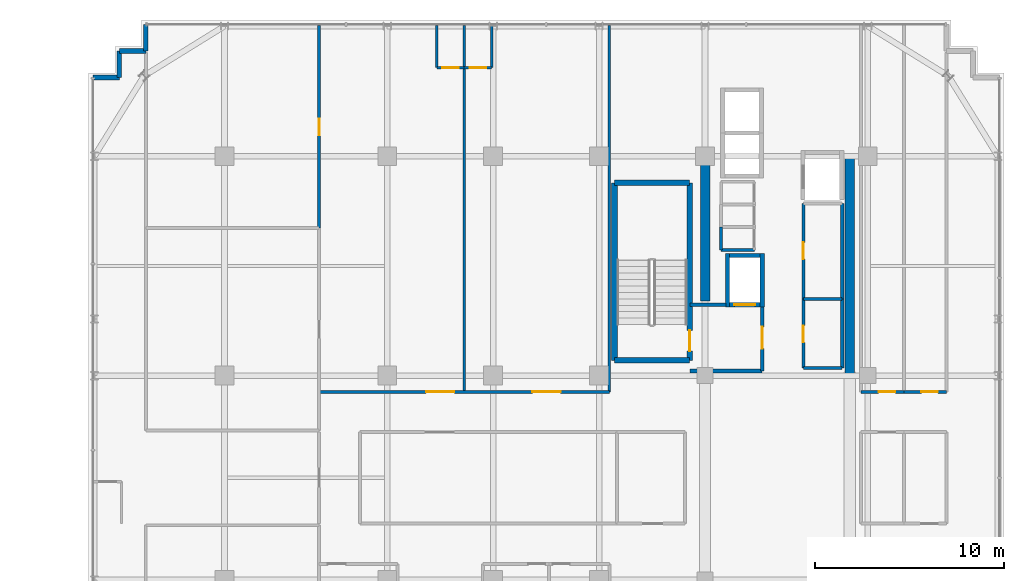
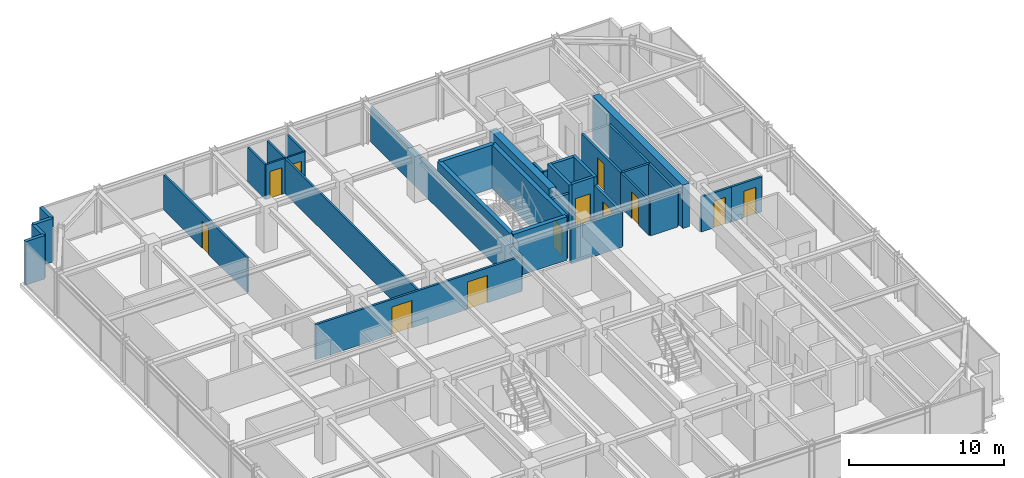
# One storey, part 31 of 35: 35 walls, 12 doors, 12 openings.
"""IFC4 building model written with IfcOpenShell, lengths in metres."""

from ifc_helpers import new_model, si_unit, direction, frame, frame_2d, origin, place, context, subcontext, project, spatial, rectangle, extrude, source, transform, mapped, material, layer, layer_set, type_object, element, fill, save


model = new_model("IFC4")

# Units and contexts
model_context = context("Model", 3, precision=1e-05, world=origin(), true_north=direction((0.0, 1.0)))
body_context = subcontext(model_context, "Body", "Model", "MODEL_VIEW")
ifc_project = project(units=[si_unit("LENGTHUNIT", "METRE"), si_unit("AREAUNIT", "SQUARE_METRE"), si_unit("VOLUMEUNIT", "CUBIC_METRE"), si_unit("PLANEANGLEUNIT", "RADIAN"), si_unit("MASSUNIT", "GRAM", prefix="KILO")], contexts=[model_context])

# Site, building, storey
site_placement = place(None, origin())
site = spatial("IfcSite", under=ifc_project, at=site_placement, CompositionType="ELEMENT")
building_placement = place(site_placement, origin())
building = spatial("IfcBuilding", under=site, at=building_placement, Name="Nahalor Promenade Grand Hotel", CompositionType="ELEMENT")
storey_placement = place(building_placement, frame((0.0, 0.0, 245.60009765625)))
storey = spatial("IfcBuildingStorey", under=building, at=storey_placement, Name="L63", CompositionType="ELEMENT", Elevation=245.60009765625)

# Walls
ifc_material_1 = material(Name="Concrete B-60 (C50/60)", Category="concrete")
ifc_layer_1 = layer(ifc_material_1, 0.5)
ifc_layer_set_1 = layer_set([ifc_layer_1], Name="Concrete B-60 (C50/60)")
wall_type_1 = type_object("IfcWallType", Name="Wall-CoreShear-500", PredefinedType="SHEAR", material=ifc_layer_set_1)
shared_shape_1 = source(origin(), body_context, "Body", "SweptSolid", [
    extrude(rectangle(XDim=7.64990234375, YDim=0.5, at=frame_2d((3.824951171875, 0.0))), origin(), (0.0, 0.0, 1.0), 3.409912109375),
])
wall_1_placement = place(storey_placement, frame((8.39990234375, 9.35009765625, 0.0), z_axis=(0.0, 0.0, 1.0), x_axis=(0.0, 1.0, 0.0)))
element("IfcWall", 1, at=wall_1_placement, inside=storey, type_object=wall_type_1, Name="CWALL-L63-NW", PredefinedType="SHEAR", context=body_context, shape_type="MappedRepresentation", body=[
    mapped(shared_shape_1, transform((0.0, 0.0, 0.0), scale=1.0)),
])
shared_shape_2 = source(origin(), body_context, "Body", "SweptSolid", [
    extrude(rectangle(XDim=11.60009765625, YDim=0.5, at=frame_2d((5.800048828125, 0.0))), origin(), (0.0, 0.0, 1.0), 3.409912109375),
])
wall_2_placement = place(storey_placement, frame((16.050048828125, 5.39990234375, 0.0), z_axis=(0.0, 0.0, 1.0), x_axis=(0.0, 1.0, 0.0)))
element("IfcWall", 2, at=wall_2_placement, inside=storey, type_object=wall_type_1, Name="CWALL-L63-NE", PredefinedType="SHEAR", context=body_context, shape_type="MappedRepresentation", body=[
    mapped(shared_shape_2, transform((0.0, 0.0, 0.0), scale=1.0)),
])
ifc_material_2 = material(Name="Concrete B-50 (C40/50)", Category="concrete")
ifc_layer_2 = layer(ifc_material_2, 0.300048828125)
ifc_layer_set_2 = layer_set([ifc_layer_2], Name="Concrete B-50 (C40/50)")
wall_type_2 = type_object("IfcWallType", Name="Wall-ShaftShear-300", PredefinedType="SHEAR", material=ifc_layer_set_2)
shared_shape_3 = source(origin(), body_context, "Body", "SweptSolid", [
    extrude(rectangle(XDim=3.97998046875, YDim=0.300048828125, at=frame_2d((1.989990234375, 0.0))), origin(), (0.0, 0.0, 1.0), 3.409912109375),
])
for number, where, z_axis, x_axis, name in (
    (3, (3.610107421875, 6.2099609375, 0.0), (0.0, 0.0, 1.0), (1.0, 0.0, 0.0), "L63 Exit Stair ST1 Shaft Wall S"),
    (4, (3.610107421875, 15.590087890625, 0.0), (0.0, 0.0, 1.0), (1.0, 0.0, 0.0), "L63 Exit Stair ST1 Shaft Wall N"),
):
    element("IfcWall", number, at=place(storey_placement, frame(where, z_axis=z_axis, x_axis=x_axis)), inside=storey, type_object=wall_type_2, Name=name, PredefinedType="SHEAR", context=body_context, shape_type="MappedRepresentation", body=[
        mapped(shared_shape_3, transform((0.0, 0.0, 0.0), scale=1.0)),
    ])
shared_shape_4 = source(origin(), body_context, "Body", "SweptSolid", [
    extrude(rectangle(XDim=9.380126953125, YDim=0.300048828125, at=frame_2d((4.68994140625, 0.0))), origin(), (0.0, 0.0, 1.0), 3.409912109375),
])
wall_3_placement = place(storey_placement, frame((3.610107421875, 6.2099609375, 0.0), z_axis=(0.0, 0.0, 1.0), x_axis=(0.0, 1.0, 0.0)))
element("IfcWall", 5, at=wall_3_placement, inside=storey, type_object=wall_type_2, Name="L63 Exit Stair ST1 Shaft Wall W", PredefinedType="SHEAR", context=body_context, shape_type="MappedRepresentation", body=[
    mapped(shared_shape_4, transform((0.0, 0.0, 0.0), scale=1.0)),
])

# Wall, opening, door
wall_4_placement = place(storey_placement, frame((7.590087890625, 6.2099609375, 0.0), z_axis=(0.0, 0.0, 1.0), x_axis=(0.0, 1.0, 0.0)))
wall_4 = element("IfcWall", 6, at=wall_4_placement, inside=storey, type_object=wall_type_2, Name="L63 Exit Stair ST1 Shaft Wall E", PredefinedType="SHEAR", context=body_context, shape_type="MappedRepresentation", body=[
    mapped(shared_shape_4, transform((0.0, 0.0, 0.0), scale=1.0)),
])
opening_1_placement = place(wall_4_placement, frame((0.489990234375, 0.0, 0.0)))
opening_1 = element("IfcOpeningElement", 7, at=opening_1_placement, cuts=wall_4, Name="Opening D-ST1", PredefinedType="OPENING", context=body_context, shape_type="SweptSolid", body=[
    extrude(rectangle(XDim=1.10009765625, YDim=2.14990234375, at=frame_2d((0.550048828125, 1.074951171875))), frame((0.0, 0.159912109375, 0.0), z_axis=(0.0, -1.0, 0.0), x_axis=(1.0, 0.0, 0.0)), (0.0, 0.0, 1.0), 0.320068359375),
])
ifc_material_3 = material(Name="Steel S355JR", Category="steel")
door_type_1 = type_object("IfcDoorType", Name="Door-StairFire-1100", OperationType="NOTDEFINED", PredefinedType="DOOR", material=ifc_material_3)
shared_shape_5 = source(origin(), body_context, "Body", "SweptSolid", [
    extrude(rectangle(XDim=1.10009765625, YDim=2.14990234375, at=frame_2d((0.550048828125, 1.074951171875))), frame((0.0, 0.02490234375, 0.0), z_axis=(0.0, -1.0, 0.0), x_axis=(1.0, 0.0, 0.0)), (0.0, 0.0, 1.0), 0.050048828125),
])
door_1_placement = place(opening_1_placement, origin())
door_1 = element("IfcDoor", 8, at=door_1_placement, inside=storey, type_object=door_type_1, Name="DR-STAIR-ST1-L63", OperationType="SINGLE_SWING_RIGHT", OverallHeight=2.14990234375, OverallWidth=1.10009765625, PredefinedType="DOOR", context=body_context, shape_type="MappedRepresentation", body=[
    mapped(shared_shape_5, transform((0.0, 0.0, 0.0), scale=1.0)),
])
fill(opening_1, door_1)

# Walls
ifc_layer_3 = layer(ifc_material_2, 0.219970703125)
ifc_layer_set_3 = layer_set([ifc_layer_3], Name="Concrete B-50 (C40/50)")
wall_type_3 = type_object("IfcWallType", Name="Wall-LiftShaft-220", PredefinedType="SHEAR", material=ifc_layer_set_3)
shared_shape_6 = source(origin(), body_context, "Body", "SweptSolid", [
    extrude(rectangle(XDim=2.820068359375, YDim=0.219970703125, at=frame_2d((1.41015625, 0.0))), origin(), (0.0, 0.0, 1.0), 3.409912109375),
])
for number, where, z_axis, x_axis, name in (
    (9, (9.580078125, 9.0400390625, 0.0), (0.0, 0.0, 1.0), (0.0, 1.0, 0.0), "L63 Lift FL1 Hoistway Wall W"),
    (10, (11.419921875, 9.0400390625, 0.0), (0.0, 0.0, 1.0), (0.0, 1.0, 0.0), "L63 Lift FL1 Hoistway Wall E"),
):
    element("IfcWall", number, at=place(storey_placement, frame(where, z_axis=z_axis, x_axis=x_axis)), inside=storey, type_object=wall_type_3, Name=name, PredefinedType="SHEAR", context=body_context, shape_type="MappedRepresentation", body=[
        mapped(shared_shape_6, transform((0.0, 0.0, 0.0), scale=1.0)),
    ])

# Wall, opening, door
shared_shape_7 = source(origin(), body_context, "Body", "SweptSolid", [
    extrude(rectangle(XDim=1.6201171875, YDim=0.219970703125, at=frame_2d((0.81005859375, 0.0))), origin(), (0.0, 0.0, 1.0), 3.409912109375),
])
wall_5_placement = place(storey_placement, frame((9.68994140625, 9.14990234375, 0.0), z_axis=(0.0, 0.0, 1.0), x_axis=(1.0, 0.0, 0.0)))
wall_5 = element("IfcWall", 11, at=wall_5_placement, inside=storey, type_object=wall_type_3, Name="L63 Lift FL1 Hoistway Wall S", PredefinedType="SHEAR", context=body_context, shape_type="MappedRepresentation", body=[
    mapped(shared_shape_7, transform((0.0, 0.0, 0.0), scale=1.0)),
])
opening_2_placement = place(wall_5_placement, frame((0.260009765625, 0.0, 0.0)))
opening_2 = element("IfcOpeningElement", 12, at=opening_2_placement, cuts=wall_5, Name="Opening LD-02", PredefinedType="OPENING", context=body_context, shape_type="SweptSolid", body=[
    extrude(rectangle(XDim=1.10009765625, YDim=2.199951171875, at=frame_2d((0.550048828125, 1.10009765625))), frame((0.0, 0.119873046875, 0.0), z_axis=(0.0, -1.0, 0.0), x_axis=(1.0, 0.0, 0.0)), (0.0, 0.0, 1.0), 0.239990234375),
])
door_type_2 = type_object("IfcDoorType", Name="Door-LiftFF-1100", OperationType="DOUBLE_DOOR_SLIDING", PredefinedType="DOOR", material=ifc_material_3)
shared_shape_8 = source(origin(), body_context, "Body", "SweptSolid", [
    extrude(rectangle(XDim=1.10009765625, YDim=2.199951171875, at=frame_2d((0.550048828125, 1.10009765625))), frame((0.0, 0.02490234375, 0.0), z_axis=(0.0, -1.0, 0.0), x_axis=(1.0, 0.0, 0.0)), (0.0, 0.0, 1.0), 0.050048828125),
])
door_2_placement = place(opening_2_placement, frame((1.10009765625, 0.0, 0.0), z_axis=(0.0, 0.0, 1.0), x_axis=(-1.0, 0.0, 0.0)))
door_2 = element("IfcDoor", 13, at=door_2_placement, inside=storey, type_object=door_type_2, Name="DR-LIFT-FL1-L63", OperationType="DOUBLE_DOOR_SLIDING", OverallHeight=2.199951171875, OverallWidth=1.10009765625, PredefinedType="DOOR", context=body_context, shape_type="MappedRepresentation", body=[
    mapped(shared_shape_8, transform((0.0, 0.0, 0.0), scale=1.0)),
])
fill(opening_2, door_2)

# Walls
wall_6_placement = place(storey_placement, frame((9.68994140625, 11.75, 0.0), z_axis=(0.0, 0.0, 1.0), x_axis=(1.0, 0.0, 0.0)))
element("IfcWall", 14, at=wall_6_placement, inside=storey, type_object=wall_type_3, Name="L63 Lift FL1 Hoistway Wall N", PredefinedType="SHEAR", context=body_context, shape_type="MappedRepresentation", body=[
    mapped(shared_shape_7, transform((0.0, 0.0, 0.0), scale=1.0)),
])
ifc_material_4 = material(Name="Concrete B-40 (C32/40)", Category="concrete")
ifc_layer_4 = layer(ifc_material_4, 0.25)
ifc_layer_set_4 = layer_set([ifc_layer_4], Name="Concrete B-40 (C32/40)")
wall_type_4 = type_object("IfcWallType", Name="Wall-BronzePier-250", PredefinedType="STANDARD", material=ifc_layer_set_4)
shared_shape_9 = source(origin(), body_context, "Body", "SweptSolid", [
    extrude(rectangle(XDim=1.39990234375, YDim=0.25, at=frame_2d((0.699951171875, 0.0))), origin(), (0.0, 0.0, 1.0), 3.409912109375),
])
for number, where, z_axis, x_axis, name in (
    (15, (-21.159912109375, 22.56005859375, 0.0), (0.0, 0.0, 1.0), (0.0, 1.0, 0.0), "W-L63-SR-09"),
    (16, (-23.9599609375, 21.159912109375, 0.0), (0.0, 0.0, 1.0), (1.0, 0.0, 0.0), "W-L63-SR-12"),
):
    element("IfcWall", number, at=place(storey_placement, frame(where, z_axis=z_axis, x_axis=x_axis)), inside=storey, type_object=wall_type_4, Name=name, PredefinedType="STANDARD", context=body_context, shape_type="MappedRepresentation", body=[
        mapped(shared_shape_9, transform((0.0, 0.0, 0.0), scale=1.0)),
    ])
shared_shape_10 = source(origin(), body_context, "Body", "SweptSolid", [
    extrude(rectangle(XDim=1.400146484375, YDim=0.25, at=frame_2d((0.7001953125, 0.0))), origin(), (0.0, 0.0, 1.0), 3.409912109375),
])
for number, where, z_axis, x_axis, name in (
    (17, (-22.56005859375, 22.56005859375, 0.0), (0.0, 0.0, 1.0), (1.0, 0.0, 0.0), "W-L63-SR-10"),
    (18, (-22.56005859375, 21.159912109375, 0.0), (0.0, 0.0, 1.0), (0.0, 1.0, 0.0), "W-L63-SR-11"),
):
    element("IfcWall", number, at=place(storey_placement, frame(where, z_axis=z_axis, x_axis=x_axis)), inside=storey, type_object=wall_type_4, Name=name, PredefinedType="STANDARD", context=body_context, shape_type="MappedRepresentation", body=[
        mapped(shared_shape_10, transform((0.0, 0.0, 0.0), scale=1.0)),
    ])
ifc_layer_5 = layer(ifc_material_4, 0.199951171875)
ifc_layer_set_5 = layer_set([ifc_layer_5], Name="Concrete B-40 (C32/40)")
wall_type_5 = type_object("IfcWallType", Name="Wall-PartFire-200", PredefinedType="PARTITIONING", material=ifc_layer_set_5)
shared_shape_11 = source(origin(), body_context, "Body", "SweptSolid", [
    extrude(rectangle(XDim=3.81982421875, YDim=0.199951171875, at=frame_2d((1.909912109375, 0.0))), origin(), (0.0, 0.0, 1.0), 2.75),
])
wall_7_placement = place(storey_placement, frame((7.60009765625, 5.64990234375, 0.0), z_axis=(0.0, 0.0, 1.0), x_axis=(1.0, 0.0, 0.0)))
element("IfcWall", 19, at=wall_7_placement, inside=storey, type_object=wall_type_5, Name="W-L63-FF1-S", PredefinedType="PARTITIONING", context=body_context, shape_type="MappedRepresentation", body=[
    mapped(shared_shape_11, transform((0.0, 0.0, 0.0), scale=1.0)),
])
shared_shape_12 = source(origin(), body_context, "Body", "SweptSolid", [
    extrude(rectangle(XDim=1.89990234375, YDim=0.199951171875, at=frame_2d((0.949951171875, 0.0))), origin(), (0.0, 0.0, 1.0), 2.75),
])
wall_8_placement = place(storey_placement, frame((7.60009765625, 9.14990234375, 0.0), z_axis=(0.0, 0.0, 1.0), x_axis=(1.0, 0.0, 0.0)))
element("IfcWall", 20, at=wall_8_placement, inside=storey, type_object=wall_type_5, Name="W-L63-FF1-N", PredefinedType="PARTITIONING", context=body_context, shape_type="MappedRepresentation", body=[
    mapped(shared_shape_12, transform((0.0, 0.0, 0.0), scale=1.0)),
])

# Wall, opening, door
shared_shape_13 = source(origin(), body_context, "Body", "SweptSolid", [
    extrude(rectangle(XDim=3.5, YDim=0.199951171875, at=frame_2d((1.75, 0.0))), origin(), (0.0, 0.0, 1.0), 2.75),
])
wall_9_placement = place(storey_placement, frame((11.419921875, 5.64990234375, 0.0), z_axis=(0.0, 0.0, 1.0), x_axis=(0.0, 1.0, 0.0)))
wall_9 = element("IfcWall", 21, at=wall_9_placement, inside=storey, type_object=wall_type_5, Name="W-L63-FF1-E", PredefinedType="PARTITIONING", context=body_context, shape_type="MappedRepresentation", body=[
    mapped(shared_shape_13, transform((0.0, 0.0, 0.0), scale=1.0)),
])
opening_3_placement = place(wall_9_placement, frame((1.175048828125, 0.0, 0.0)))
opening_3 = element("IfcOpeningElement", 22, at=opening_3_placement, cuts=wall_9, Name="Opening D-FF1", PredefinedType="OPENING", context=body_context, shape_type="SweptSolid", body=[
    extrude(rectangle(XDim=1.14990234375, YDim=2.14990234375, at=frame_2d((0.574951171875, 1.074951171875))), frame((0.0, 0.10986328125, 0.0), z_axis=(0.0, -1.0, 0.0), x_axis=(1.0, 0.0, 0.0)), (0.0, 0.0, 1.0), 0.219970703125),
])
door_type_3 = type_object("IfcDoorType", Name="Door-FFLobby-1150", OperationType="NOTDEFINED", PredefinedType="DOOR", material=ifc_material_3)
shared_shape_14 = source(origin(), body_context, "Body", "SweptSolid", [
    extrude(rectangle(XDim=1.14990234375, YDim=2.14990234375, at=frame_2d((0.574951171875, 1.074951171875))), frame((0.0, 0.02490234375, 0.0), z_axis=(0.0, -1.0, 0.0), x_axis=(1.0, 0.0, 0.0)), (0.0, 0.0, 1.0), 0.050048828125),
])
door_3_placement = place(opening_3_placement, frame((1.14990234375, 0.0, 0.0), z_axis=(0.0, 0.0, 1.0), x_axis=(-1.0, 0.0, 0.0)))
door_3 = element("IfcDoor", 23, at=door_3_placement, inside=storey, type_object=door_type_3, Name="DR-L63-FFL1", OperationType="SINGLE_SWING_LEFT", OverallHeight=2.14990234375, OverallWidth=1.14990234375, PredefinedType="DOOR", context=body_context, shape_type="MappedRepresentation", body=[
    mapped(shared_shape_14, transform((0.0, 0.0, 0.0), scale=1.0)),
])
fill(opening_3, door_3)

# Walls
ifc_material_5 = material(Name="Acoustic Mineral Gypsum", Category="gypsum")
ifc_layer_6 = layer(ifc_material_5, 0.14990234375)
ifc_layer_set_6 = layer_set([ifc_layer_6], Name="Acoustic Mineral Gypsum")
wall_type_6 = type_object("IfcWallType", Name="Wall-PartService-150", PredefinedType="PARTITIONING", material=ifc_layer_set_6)
shared_shape_15 = source(origin(), body_context, "Body", "SweptSolid", [
    extrude(rectangle(XDim=1.75, YDim=0.14990234375, at=frame_2d((0.875, 0.0))), origin(), (0.0, 0.0, 1.0), 2.75),
])
wall_10_placement = place(storey_placement, frame((9.25, 12.050048828125, 0.0), z_axis=(0.0, 0.0, 1.0), x_axis=(1.0, 0.0, 0.0)))
element("IfcWall", 24, at=wall_10_placement, inside=storey, type_object=wall_type_6, Name="W-L63-CK3A-S", PredefinedType="PARTITIONING", context=body_context, shape_type="MappedRepresentation", body=[
    mapped(shared_shape_15, transform((0.0, 0.0, 0.0), scale=1.0)),
])
ifc_layer_7 = layer(ifc_material_5, 0.159912109375)
ifc_layer_set_7 = layer_set([ifc_layer_7], Name="Acoustic Mineral Gypsum")
wall_type_7 = type_object("IfcWallType", Name="Wall-PartCorridor-160", PredefinedType="PARTITIONING", material=ifc_layer_set_7)
shared_shape_16 = source(origin(), body_context, "Body", "SweptSolid", [
    extrude(rectangle(XDim=2.0498046875, YDim=0.159912109375, at=frame_2d((1.02490234375, 0.0))), origin(), (0.0, 0.0, 1.0), 2.75),
])
for number, where, z_axis, x_axis, name in (
    (25, (13.60009765625, 5.800048828125, 0.0), (0.0, 0.0, 1.0), (1.0, 0.0, 0.0), "W-L63-FRB1A-S"),
    (26, (13.60009765625, 9.449951171875, 0.0), (0.0, 0.0, 1.0), (1.0, 0.0, 0.0), "W-L63-FRB1A-N"),
):
    element("IfcWall", number, at=place(storey_placement, frame(where, z_axis=z_axis, x_axis=x_axis)), inside=storey, type_object=wall_type_7, Name=name, PredefinedType="PARTITIONING", context=body_context, shape_type="MappedRepresentation", body=[
        mapped(shared_shape_16, transform((0.0, 0.0, 0.0), scale=1.0)),
    ])

# Wall, opening, door
shared_shape_17 = source(origin(), body_context, "Body", "SweptSolid", [
    extrude(rectangle(XDim=2.255126953125, YDim=0.159912109375, at=frame_2d((1.12744140625, 0.0))), origin(), (0.0, 0.0, 1.0), 2.75),
])
wall_11_placement = place(storey_placement, frame((16.64990234375, 4.550048828125, 0.0), z_axis=(0.0, 0.0, 1.0), x_axis=(1.0, 0.0, 0.0)))
wall_11 = element("IfcWall", 27, at=wall_11_placement, inside=storey, type_object=wall_type_7, Name="W-L63-ENE1-S", PredefinedType="PARTITIONING", context=body_context, shape_type="MappedRepresentation", body=[
    mapped(shared_shape_17, transform((0.0, 0.0, 0.0), scale=1.0)),
])
opening_4_placement = place(wall_11_placement, frame((0.924072265625, 0.0, 0.0)))
opening_4 = element("IfcOpeningElement", 28, at=opening_4_placement, cuts=wall_11, Name="Opening D-03", PredefinedType="OPENING", context=body_context, shape_type="SweptSolid", body=[
    extrude(rectangle(XDim=0.8798828125, YDim=2.10009765625, at=frame_2d((0.43994140625, 1.050048828125))), frame((0.0, 0.08984375, 0.0), z_axis=(0.0, -1.0, 0.0), x_axis=(1.0, 0.0, 0.0)), (0.0, 0.0, 1.0), 0.179931640625),
])
ifc_material_6 = material(Name="Fire-Rated Timber Composite", Category="wood")
door_type_4 = type_object("IfcDoorType", Name="Door-BathSwing-880", OperationType="NOTDEFINED", PredefinedType="DOOR", material=ifc_material_6)
shared_shape_18 = source(origin(), body_context, "Body", "SweptSolid", [
    extrude(rectangle(XDim=0.8798828125, YDim=2.10009765625, at=frame_2d((0.43994140625, 1.050048828125))), frame((0.0, 0.02490234375, 0.0), z_axis=(0.0, -1.0, 0.0), x_axis=(1.0, 0.0, 0.0)), (0.0, 0.0, 1.0), 0.050048828125),
])
door_4_placement = place(opening_4_placement, origin())
door_4 = element("IfcDoor", 29, at=door_4_placement, inside=storey, type_object=door_type_4, Name="DR-L63-ENE1", OperationType="SINGLE_SWING_RIGHT", OverallHeight=2.10009765625, OverallWidth=0.8798828125, PredefinedType="DOOR", context=body_context, shape_type="MappedRepresentation", body=[
    mapped(shared_shape_18, transform((0.0, 0.0, 0.0), scale=1.0)),
])
fill(opening_4, door_4)

shared_shape_19 = source(origin(), body_context, "Body", "SweptSolid", [
    extrude(rectangle(XDim=2.2548828125, YDim=0.159912109375, at=frame_2d((1.12744140625, 0.0))), origin(), (0.0, 0.0, 1.0), 2.75),
])
wall_12_placement = place(storey_placement, frame((18.905029296875, 4.550048828125, 0.0), z_axis=(0.0, 0.0, 1.0), x_axis=(1.0, 0.0, 0.0)))
wall_12 = element("IfcWall", 30, at=wall_12_placement, inside=storey, type_object=wall_type_7, Name="W-L63-ENE2-S", PredefinedType="PARTITIONING", context=body_context, shape_type="MappedRepresentation", body=[
    mapped(shared_shape_19, transform((0.0, 0.0, 0.0), scale=1.0)),
])
opening_5_placement = place(wall_12_placement, frame((0.924072265625, 0.0, 0.0)))
opening_5 = element("IfcOpeningElement", 31, at=opening_5_placement, cuts=wall_12, Name="Opening D-03", PredefinedType="OPENING", context=body_context, shape_type="SweptSolid", body=[
    extrude(rectangle(XDim=0.8798828125, YDim=2.10009765625, at=frame_2d((0.43994140625, 1.050048828125))), frame((0.0, 0.08984375, 0.0), z_axis=(0.0, -1.0, 0.0), x_axis=(1.0, 0.0, 0.0)), (0.0, 0.0, 1.0), 0.179931640625),
])
door_5_placement = place(opening_5_placement, origin())
door_5 = element("IfcDoor", 32, at=door_5_placement, inside=storey, type_object=door_type_4, Name="DR-L63-ENE2", OperationType="SINGLE_SWING_LEFT", OverallHeight=2.10009765625, OverallWidth=0.8798828125, PredefinedType="DOOR", context=body_context, shape_type="MappedRepresentation", body=[
    mapped(shared_shape_18, transform((0.0, 0.0, 0.0), scale=1.0)),
])
fill(opening_5, door_5)

ifc_layer_8 = layer(ifc_material_5, 0.1201171875)
ifc_layer_set_8 = layer_set([ifc_layer_8], Name="Acoustic Mineral Gypsum")
wall_type_8 = type_object("IfcWallType", Name="Wall-PartBath-120", PredefinedType="PARTITIONING", material=ifc_layer_set_8)
shared_shape_20 = source(origin(), body_context, "Body", "SweptSolid", [
    extrude(rectangle(XDim=1.449951171875, YDim=0.1201171875, at=frame_2d((0.72509765625, 0.0))), origin(), (0.0, 0.0, 1.0), 2.75),
])
wall_13_placement = place(storey_placement, frame((-5.780029296875, 21.679931640625, 0.0), z_axis=(0.0, 0.0, 1.0), x_axis=(1.0, 0.0, 0.0)))
wall_13 = element("IfcWall", 33, at=wall_13_placement, inside=storey, type_object=wall_type_8, Name="W-L63-N1-BH", PredefinedType="PARTITIONING", context=body_context, shape_type="MappedRepresentation", body=[
    mapped(shared_shape_20, transform((0.0, 0.0, 0.0), scale=1.0)),
])
opening_6_placement = place(wall_13_placement, frame((0.284912109375, 0.0, 0.0)))
opening_6 = element("IfcOpeningElement", 34, at=opening_6_placement, cuts=wall_13, Name="Opening D-03", PredefinedType="OPENING", context=body_context, shape_type="SweptSolid", body=[
    extrude(rectangle(XDim=0.8798828125, YDim=2.10009765625, at=frame_2d((0.43994140625, 1.050048828125))), frame((0.0, 0.070068359375, 0.0), z_axis=(0.0, -1.0, 0.0), x_axis=(1.0, 0.0, 0.0)), (0.0, 0.0, 1.0), 0.14013671875),
])
door_6_placement = place(opening_6_placement, origin())
door_6 = element("IfcDoor", 35, at=door_6_placement, inside=storey, type_object=door_type_4, Name="DR-L63-N1-BATH", OperationType="SINGLE_SWING_RIGHT", OverallHeight=2.10009765625, OverallWidth=0.8798828125, PredefinedType="DOOR", context=body_context, shape_type="MappedRepresentation", body=[
    mapped(shared_shape_18, transform((0.0, 0.0, 0.0), scale=1.0)),
])
fill(opening_6, door_6)

# Walls
shared_shape_21 = source(origin(), body_context, "Body", "SweptSolid", [
    extrude(rectangle(XDim=2.219970703125, YDim=0.1201171875, at=frame_2d((1.10986328125, 0.0))), origin(), (0.0, 0.0, 1.0), 2.75),
])
for number, where, z_axis, x_axis, name in (
    (36, (-5.780029296875, 21.679931640625, 0.0), (0.0, 0.0, 1.0), (0.0, 1.0, 0.0), "W-L63-N1-BV"),
    (37, (-2.8798828125, 21.679931640625, 0.0), (0.0, 0.0, 1.0), (0.0, 1.0, 0.0), "W-L63-N2-BV"),
):
    element("IfcWall", number, at=place(storey_placement, frame(where, z_axis=z_axis, x_axis=x_axis)), inside=storey, type_object=wall_type_8, Name=name, PredefinedType="PARTITIONING", context=body_context, shape_type="MappedRepresentation", body=[
        mapped(shared_shape_21, transform((0.0, 0.0, 0.0), scale=1.0)),
    ])
ifc_layer_9 = layer(ifc_material_5, 0.139892578125)
ifc_layer_set_9 = layer_set([ifc_layer_9], Name="Acoustic Mineral Gypsum")
wall_type_9 = type_object("IfcWallType", Name="Wall-PartSuite-140", PredefinedType="PARTITIONING", material=ifc_layer_set_9)
shared_shape_22 = source(origin(), body_context, "Body", "SweptSolid", [
    extrude(rectangle(XDim=19.349853515625, YDim=0.139892578125, at=frame_2d((9.6748046875, 0.0))), origin(), (0.0, 0.0, 1.0), 2.75),
])
for number, where, z_axis, x_axis, name in (
    (38, (3.340087890625, 4.550048828125, 0.0), (0.0, 0.0, 1.0), (0.0, 1.0, 0.0), "W-L63-NW-ENDE"),
    (39, (-4.330078125, 4.550048828125, 0.0), (0.0, 0.0, 1.0), (0.0, 1.0, 0.0), "W-L63-NP-1"),
):
    element("IfcWall", number, at=place(storey_placement, frame(where, z_axis=z_axis, x_axis=x_axis)), inside=storey, type_object=wall_type_9, Name=name, PredefinedType="PARTITIONING", context=body_context, shape_type="MappedRepresentation", body=[
        mapped(shared_shape_22, transform((0.0, 0.0, 0.0), scale=1.0)),
    ])

# Wall, opening, door
shared_shape_23 = source(origin(), body_context, "Body", "SweptSolid", [
    extrude(rectangle(XDim=1.4501953125, YDim=0.1201171875, at=frame_2d((0.72509765625, 0.0))), origin(), (0.0, 0.0, 1.0), 2.75),
])
wall_14_placement = place(storey_placement, frame((-4.330078125, 21.679931640625, 0.0), z_axis=(0.0, 0.0, 1.0), x_axis=(1.0, 0.0, 0.0)))
wall_14 = element("IfcWall", 40, at=wall_14_placement, inside=storey, type_object=wall_type_8, Name="W-L63-N2-BH", PredefinedType="PARTITIONING", context=body_context, shape_type="MappedRepresentation", body=[
    mapped(shared_shape_23, transform((0.0, 0.0, 0.0), scale=1.0)),
])
opening_7_placement = place(wall_14_placement, frame((0.284912109375, 0.0, 0.0)))
opening_7 = element("IfcOpeningElement", 41, at=opening_7_placement, cuts=wall_14, Name="Opening D-03", PredefinedType="OPENING", context=body_context, shape_type="SweptSolid", body=[
    extrude(rectangle(XDim=0.8798828125, YDim=2.10009765625, at=frame_2d((0.43994140625, 1.050048828125))), frame((0.0, 0.070068359375, 0.0), z_axis=(0.0, -1.0, 0.0), x_axis=(1.0, 0.0, 0.0)), (0.0, 0.0, 1.0), 0.14013671875),
])
door_7_placement = place(opening_7_placement, origin())
door_7 = element("IfcDoor", 42, at=door_7_placement, inside=storey, type_object=door_type_4, Name="DR-L63-N2-BATH", OperationType="SINGLE_SWING_LEFT", OverallHeight=2.10009765625, OverallWidth=0.8798828125, PredefinedType="DOOR", context=body_context, shape_type="MappedRepresentation", body=[
    mapped(shared_shape_18, transform((0.0, 0.0, 0.0), scale=1.0)),
])
fill(opening_7, door_7)

# Wall
shared_shape_24 = source(origin(), body_context, "Body", "SweptSolid", [
    extrude(rectangle(XDim=1.199951171875, YDim=0.14990234375, at=frame_2d((0.60009765625, 0.0))), origin(), (0.0, 0.0, 1.0), 2.75),
])
wall_15_placement = place(storey_placement, frame((9.25, 12.050048828125, 0.0), z_axis=(0.0, 0.0, 1.0), x_axis=(0.0, 1.0, 0.0)))
element("IfcWall", 43, at=wall_15_placement, inside=storey, type_object=wall_type_6, Name="W-L63-CK3A-W", PredefinedType="PARTITIONING", context=body_context, shape_type="MappedRepresentation", body=[
    mapped(shared_shape_24, transform((0.0, 0.0, 0.0), scale=1.0)),
])

# Wall, opening, door
shared_shape_25 = source(origin(), body_context, "Body", "SweptSolid", [
    extrude(rectangle(XDim=3.64990234375, YDim=0.159912109375, at=frame_2d((1.824951171875, 0.0))), origin(), (0.0, 0.0, 1.0), 2.75),
])
wall_16_placement = place(storey_placement, frame((13.60009765625, 5.800048828125, 0.0), z_axis=(0.0, 0.0, 1.0), x_axis=(0.0, 1.0, 0.0)))
wall_16 = element("IfcWall", 44, at=wall_16_placement, inside=storey, type_object=wall_type_7, Name="W-L63-FRB1A-W", PredefinedType="PARTITIONING", context=body_context, shape_type="MappedRepresentation", body=[
    mapped(shared_shape_25, transform((0.0, 0.0, 0.0), scale=1.0)),
])
opening_8_placement = place(wall_16_placement, frame((1.360107421875, 0.0, 0.0)))
opening_8 = element("IfcOpeningElement", 45, at=opening_8_placement, cuts=wall_16, Name="Opening D-03", PredefinedType="OPENING", context=body_context, shape_type="SweptSolid", body=[
    extrude(rectangle(XDim=0.8798828125, YDim=2.10009765625, at=frame_2d((0.43994140625, 1.050048828125))), frame((0.0, 0.08984375, 0.0), z_axis=(0.0, -1.0, 0.0), x_axis=(1.0, 0.0, 0.0)), (0.0, 0.0, 1.0), 0.179931640625),
])
door_8_placement = place(opening_8_placement, frame((0.8798828125, 0.0, 0.0), z_axis=(0.0, 0.0, 1.0), x_axis=(-1.0, 0.0, 0.0)))
door_8 = element("IfcDoor", 46, at=door_8_placement, inside=storey, type_object=door_type_4, Name="DR-L63-FRB1A", OperationType="SINGLE_SWING_RIGHT", OverallHeight=2.10009765625, OverallWidth=0.8798828125, PredefinedType="DOOR", context=body_context, shape_type="MappedRepresentation", body=[
    mapped(shared_shape_18, transform((0.0, 0.0, 0.0), scale=1.0)),
])
fill(opening_8, door_8)

# Wall
wall_17_placement = place(storey_placement, frame((15.64990234375, 5.800048828125, 0.0), z_axis=(0.0, 0.0, 1.0), x_axis=(0.0, 1.0, 0.0)))
element("IfcWall", 47, at=wall_17_placement, inside=storey, type_object=wall_type_7, Name="W-L63-FRB1A-E", PredefinedType="PARTITIONING", context=body_context, shape_type="MappedRepresentation", body=[
    mapped(shared_shape_25, transform((0.0, 0.0, 0.0), scale=1.0)),
])

# Wall, opening, door
shared_shape_26 = source(origin(), body_context, "Body", "SweptSolid", [
    extrude(rectangle(XDim=5.050048828125, YDim=0.159912109375, at=frame_2d((2.52490234375, 0.0))), origin(), (0.0, 0.0, 1.0), 2.75),
])
wall_18_placement = place(storey_placement, frame((13.60009765625, 9.449951171875, 0.0), z_axis=(0.0, 0.0, 1.0), x_axis=(0.0, 1.0, 0.0)))
wall_18 = element("IfcWall", 48, at=wall_18_placement, inside=storey, type_object=wall_type_7, Name="W-L63-FRB1B-W", PredefinedType="PARTITIONING", context=body_context, shape_type="MappedRepresentation", body=[
    mapped(shared_shape_26, transform((0.0, 0.0, 0.0), scale=1.0)),
])
opening_9_placement = place(wall_18_placement, frame((2.110107421875, 0.0, 0.0)))
opening_9 = element("IfcOpeningElement", 49, at=opening_9_placement, cuts=wall_18, Name="Opening D-03", PredefinedType="OPENING", context=body_context, shape_type="SweptSolid", body=[
    extrude(rectangle(XDim=0.8798828125, YDim=2.10009765625, at=frame_2d((0.43994140625, 1.050048828125))), frame((0.0, 0.08984375, 0.0), z_axis=(0.0, -1.0, 0.0), x_axis=(1.0, 0.0, 0.0)), (0.0, 0.0, 1.0), 0.179931640625),
])
door_9_placement = place(opening_9_placement, frame((0.8798828125, 0.0, 0.0), z_axis=(0.0, 0.0, 1.0), x_axis=(-1.0, 0.0, 0.0)))
door_9 = element("IfcDoor", 50, at=door_9_placement, inside=storey, type_object=door_type_4, Name="DR-L63-FRB1B", OperationType="SINGLE_SWING_LEFT", OverallHeight=2.10009765625, OverallWidth=0.8798828125, PredefinedType="DOOR", context=body_context, shape_type="MappedRepresentation", body=[
    mapped(shared_shape_18, transform((0.0, 0.0, 0.0), scale=1.0)),
])
fill(opening_9, door_9)

# Wall
wall_19_placement = place(storey_placement, frame((15.64990234375, 9.449951171875, 0.0), z_axis=(0.0, 0.0, 1.0), x_axis=(0.0, 1.0, 0.0)))
element("IfcWall", 51, at=wall_19_placement, inside=storey, type_object=wall_type_7, Name="W-L63-FRB1B-E", PredefinedType="PARTITIONING", context=body_context, shape_type="MappedRepresentation", body=[
    mapped(shared_shape_26, transform((0.0, 0.0, 0.0), scale=1.0)),
])

# Wall, openings, doors
shared_shape_27 = source(origin(), body_context, "Body", "SweptSolid", [
    extrude(rectangle(XDim=15.340087890625, YDim=0.159912109375, at=frame_2d((7.669921875, 0.0))), origin(), (0.0, 0.0, 1.0), 2.75),
])
wall_20_placement = place(storey_placement, frame((-12.0, 4.550048828125, 0.0), z_axis=(0.0, 0.0, 1.0), x_axis=(1.0, 0.0, 0.0)))
wall_20 = element("IfcWall", 52, at=wall_20_placement, inside=storey, type_object=wall_type_7, Name="W-L63-CORR-N", PredefinedType="PARTITIONING", context=body_context, shape_type="MappedRepresentation", body=[
    mapped(shared_shape_27, transform((0.0, 0.0, 0.0), scale=1.0)),
])
opening_10_placement = place(wall_20_placement, frame((5.655029296875, 0.0, 0.0)))
opening_10 = element("IfcOpeningElement", 53, at=opening_10_placement, cuts=wall_20, Name="Opening D-02", PredefinedType="OPENING", context=body_context, shape_type="SweptSolid", body=[
    extrude(rectangle(XDim=1.5, YDim=2.14990234375, at=frame_2d((0.75, 1.074951171875))), frame((0.0, 0.08984375, 0.0), z_axis=(0.0, -1.0, 0.0), x_axis=(1.0, 0.0, 0.0)), (0.0, 0.0, 1.0), 0.179931640625),
])
opening_11_placement = place(wall_20_placement, frame((11.26904296875, 0.0, 0.0)))
opening_11 = element("IfcOpeningElement", 54, at=opening_11_placement, cuts=wall_20, Name="Opening D-02", PredefinedType="OPENING", context=body_context, shape_type="SweptSolid", body=[
    extrude(rectangle(XDim=1.5, YDim=2.14990234375, at=frame_2d((0.75, 1.074951171875))), frame((0.0, 0.08984375, 0.0), z_axis=(0.0, -1.0, 0.0), x_axis=(1.0, 0.0, 0.0)), (0.0, 0.0, 1.0), 0.179931640625),
])
door_type_5 = type_object("IfcDoorType", Name="Door-SuiteDouble-1500", OperationType="DOUBLE_DOOR_SINGLE_SWING", PredefinedType="DOOR", material=ifc_material_6)
shared_shape_28 = source(origin(), body_context, "Body", "SweptSolid", [
    extrude(rectangle(XDim=1.5, YDim=2.14990234375, at=frame_2d((0.75, 1.074951171875))), frame((0.0, 0.02490234375, 0.0), z_axis=(0.0, -1.0, 0.0), x_axis=(1.0, 0.0, 0.0)), (0.0, 0.0, 1.0), 0.050048828125),
])
door_10_placement = place(opening_10_placement, origin())
door_10 = element("IfcDoor", 55, at=door_10_placement, inside=storey, type_object=door_type_5, Name="DR-L63-N1-ENT", OperationType="DOUBLE_DOOR_SINGLE_SWING", OverallHeight=2.14990234375, OverallWidth=1.5, PredefinedType="DOOR", context=body_context, shape_type="MappedRepresentation", body=[
    mapped(shared_shape_28, transform((0.0, 0.0, 0.0), scale=1.0)),
])
fill(opening_10, door_10)
door_11_placement = place(opening_11_placement, origin())
door_11 = element("IfcDoor", 56, at=door_11_placement, inside=storey, type_object=door_type_5, Name="DR-L63-N2-ENT", OperationType="DOUBLE_DOOR_SINGLE_SWING", OverallHeight=2.14990234375, OverallWidth=1.5, PredefinedType="DOOR", context=body_context, shape_type="MappedRepresentation", body=[
    mapped(shared_shape_28, transform((0.0, 0.0, 0.0), scale=1.0)),
])
fill(opening_11, door_11)

# Wall, opening, door
shared_shape_29 = source(origin(), body_context, "Body", "SweptSolid", [
    extrude(rectangle(XDim=10.699951171875, YDim=0.159912109375, at=frame_2d((5.35009765625, 0.0))), origin(), (0.0, 0.0, 1.0), 2.75),
])
wall_21_placement = place(storey_placement, frame((-12.0, 13.199951171875, 0.0), z_axis=(0.0, 0.0, 1.0), x_axis=(0.0, 1.0, 0.0)))
wall_21 = element("IfcWall", 57, at=wall_21_placement, inside=storey, type_object=wall_type_7, Name="W-L63-NW0B-E", PredefinedType="PARTITIONING", context=body_context, shape_type="MappedRepresentation", body=[
    mapped(shared_shape_29, transform((0.0, 0.0, 0.0), scale=1.0)),
])
opening_12_placement = place(wall_21_placement, frame((4.909912109375, 0.0, 0.0)))
opening_12 = element("IfcOpeningElement", 58, at=opening_12_placement, cuts=wall_21, Name="Opening D-03", PredefinedType="OPENING", context=body_context, shape_type="SweptSolid", body=[
    extrude(rectangle(XDim=0.8798828125, YDim=2.10009765625, at=frame_2d((0.43994140625, 1.050048828125))), frame((0.0, 0.08984375, 0.0), z_axis=(0.0, -1.0, 0.0), x_axis=(1.0, 0.0, 0.0)), (0.0, 0.0, 1.0), 0.179931640625),
])
door_12_placement = place(opening_12_placement, origin())
door_12 = element("IfcDoor", 59, at=door_12_placement, inside=storey, type_object=door_type_4, Name="DR-L63-NW0B", OperationType="SINGLE_SWING_LEFT", OverallHeight=2.10009765625, OverallWidth=0.8798828125, PredefinedType="DOOR", context=body_context, shape_type="MappedRepresentation", body=[
    mapped(shared_shape_18, transform((0.0, 0.0, 0.0), scale=1.0)),
])
fill(opening_12, door_12)

save(model, "model.ifc")
